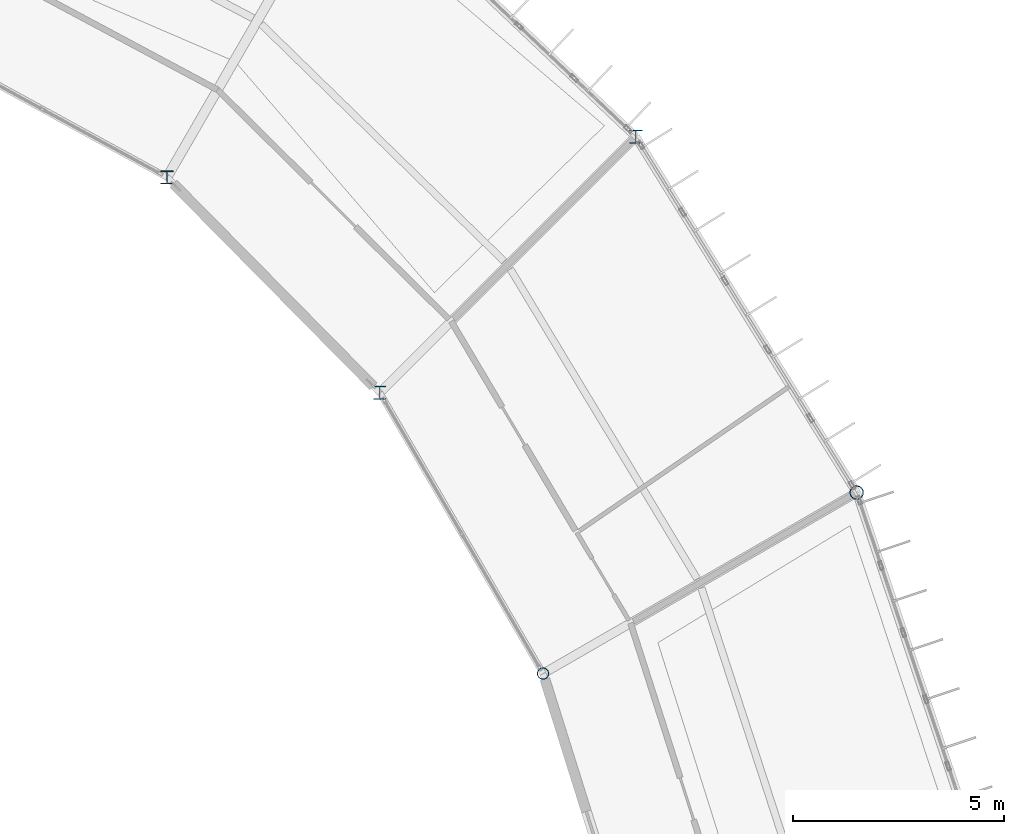
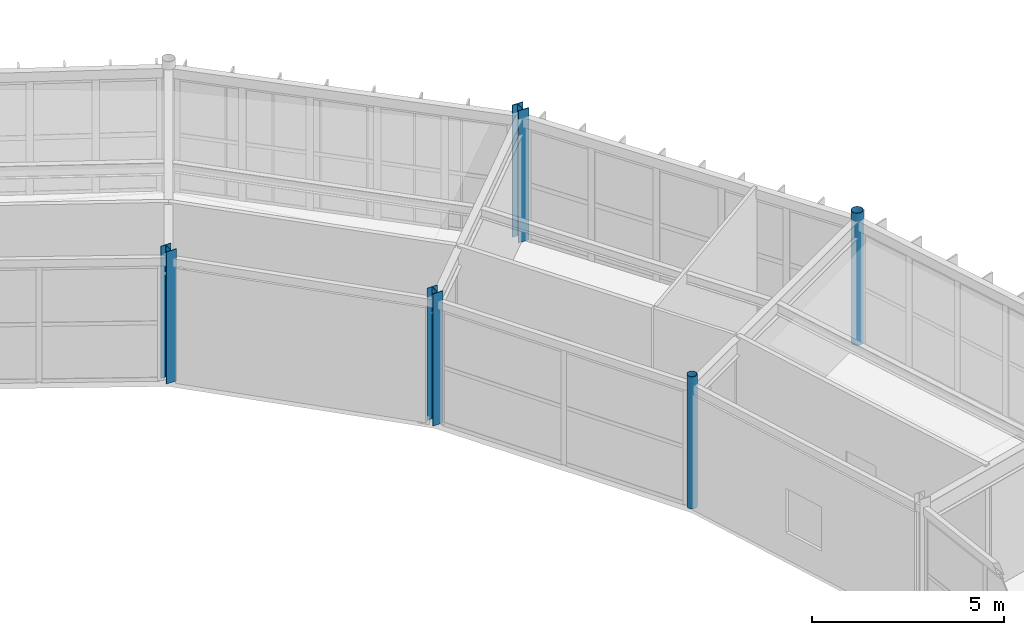
# One storey, part 15 of 147: 5 columns.
"""IFC4 building model written with IfcOpenShell, lengths in metres."""

from ifc_helpers import new_model, si_unit, direction, frame, origin, origin_2d, place, context, subcontext, project, spatial, hollow_circle, i_section, extrude, material, material_profile, profile_set, type_object, element, save


model = new_model("IFC4")

# Units and contexts
model_context = context("Model", 3, precision=1e-05, world=origin(), true_north=direction((0.0, 1.0)))
body_context = subcontext(model_context, "Body", "Model", "MODEL_VIEW")
ifc_project = project(units=[si_unit("LENGTHUNIT", "METRE"), si_unit("AREAUNIT", "SQUARE_METRE"), si_unit("VOLUMEUNIT", "CUBIC_METRE"), si_unit("PLANEANGLEUNIT", "RADIAN"), si_unit("MASSUNIT", "GRAM", prefix="KILO")], contexts=[model_context])

# Site, building, storey
site_placement = place(None, origin())
site = spatial("IfcSite", under=ifc_project, at=site_placement, CompositionType="ELEMENT")
building_placement = place(site_placement, origin())
building = spatial("IfcBuilding", under=site, at=building_placement, Name="Karori Crest Natural Sciences Institute", CompositionType="ELEMENT")
storey_placement = place(building_placement, frame((0.0, 0.0, 9.10009765625)))
storey = spatial("IfcBuildingStorey", under=building, at=storey_placement, Name="L02", CompositionType="ELEMENT", Elevation=9.10009765625)

# Columns
ifc_material_1 = material(Name="Structural steel AS/NZS 3679.1 Grade 350", Category="steel")
ifc_material_profile_1 = material_profile(ifc_material_1, i_section(OverallWidth=0.31103515625, OverallDepth=0.326904296875, WebThickness=0.015625, FlangeThickness=0.02490234375, FilletRadius=0.01708984375, at=origin_2d()), Name="310UC158")
ifc_profile_set_1 = profile_set([ifc_material_profile_1], Name="Structural steel AS/NZS 3679.1 Grade 350")
column_type_1 = type_object("IfcColumnType", Name="CT-04", PredefinedType="COLUMN", material=ifc_profile_set_1)
column_1_placement = place(storey_placement, frame((89.734619140625, 78.75, 0.0), z_axis=(0.0, 0.0, 1.0), x_axis=(1.0, 0.0, 0.0)))
element("IfcColumn", 1, at=column_1_placement, inside=storey, type_object=column_type_1, Name="Column C-0061", PredefinedType="COLUMN", context=body_context, shape_type="SweptSolid", body=[
    extrude(i_section(OverallWidth=0.31103515625, OverallDepth=0.326904296875, WebThickness=0.015625, FlangeThickness=0.02490234375, FilletRadius=0.01708984375, at=origin_2d()), origin(), (0.0, 0.0, 1.0), 4.199951171875),
])
ifc_material_profile_2 = material_profile(ifc_material_1, i_section(OverallWidth=0.306884765625, OverallDepth=0.31494140625, WebThickness=0.011962890625, FlangeThickness=0.018798828125, FilletRadius=0.01708984375, at=origin_2d()), Name="310UC118")
ifc_profile_set_2 = profile_set([ifc_material_profile_2], Name="Structural steel AS/NZS 3679.1 Grade 350")
column_type_2 = type_object("IfcColumnType", Name="CT-05", PredefinedType="COLUMN", material=ifc_profile_set_2)
column_2_placement = place(storey_placement, frame((83.6533203125, 72.668701171875, 0.0), z_axis=(0.0, 0.0, 1.0), x_axis=(1.0, 0.0, 0.0)))
element("IfcColumn", 2, at=column_2_placement, inside=storey, type_object=column_type_2, Name="Column C-0062", PredefinedType="COLUMN", context=body_context, shape_type="SweptSolid", body=[
    extrude(i_section(OverallWidth=0.306884765625, OverallDepth=0.31494140625, WebThickness=0.011962890625, FlangeThickness=0.018798828125, FilletRadius=0.01708984375, at=origin_2d()), origin(), (0.0, 0.0, 1.0), 4.199951171875),
])
ifc_material_2 = material(Name="Hollow structural steel AS/NZS 1163 Grade C350", Category="steel")
ifc_material_profile_3 = material_profile(ifc_material_2, hollow_circle(Radius=0.161865234375, WallThickness=0.0126953125, at=origin_2d()), Name="CHS323.9x12.7")
ifc_profile_set_3 = profile_set([ifc_material_profile_3], Name="Hollow structural steel AS/NZS 1163 Grade C350")
column_type_3 = type_object("IfcColumnType", Name="CT-15", PredefinedType="COLUMN", material=ifc_profile_set_3)
column_3_placement = place(storey_placement, frame((94.978759765625, 70.300048828125, 0.0), z_axis=(0.0, 0.0, 1.0), x_axis=(1.0, 0.0, 0.0)))
element("IfcColumn", 3, at=column_3_placement, inside=storey, type_object=column_type_3, Name="Column C-0043", PredefinedType="COLUMN", context=body_context, shape_type="SweptSolid", body=[
    extrude(hollow_circle(Radius=0.161865234375, WallThickness=0.0126953125, at=origin_2d()), origin(), (0.0, 0.0, 1.0), 4.199951171875),
])
ifc_material_profile_4 = material_profile(ifc_material_2, hollow_circle(Radius=0.136474609375, WallThickness=0.00927734375, at=origin_2d()), Name="CHS273.0x9.3")
ifc_profile_set_4 = profile_set([ifc_material_profile_4], Name="Hollow structural steel AS/NZS 1163 Grade C350")
column_type_4 = type_object("IfcColumnType", Name="CT-16", PredefinedType="COLUMN", material=ifc_profile_set_4)
column_4_placement = place(storey_placement, frame((87.531005859375, 66.0, 0.0), z_axis=(0.0, 0.0, 1.0), x_axis=(1.0, 0.0, 0.0)))
element("IfcColumn", 4, at=column_4_placement, inside=storey, type_object=column_type_4, Name="Column C-0044", PredefinedType="COLUMN", context=body_context, shape_type="SweptSolid", body=[
    extrude(hollow_circle(Radius=0.136474609375, WallThickness=0.00927734375, at=origin_2d()), origin(), (0.0, 0.0, 1.0), 4.199951171875),
])
ifc_material_profile_5 = material_profile(ifc_material_1, i_section(OverallWidth=0.304931640625, OverallDepth=0.30810546875, WebThickness=0.010009765625, FlangeThickness=0.015380859375, FilletRadius=0.01708984375, at=origin_2d()), Name="310UC96.8")
ifc_profile_set_5 = profile_set([ifc_material_profile_5], Name="Structural steel AS/NZS 3679.1 Grade 350")
column_type_5 = type_object("IfcColumnType", Name="CT-25", PredefinedType="COLUMN", material=ifc_profile_set_5)
column_5_placement = place(storey_placement, frame((78.60009765625, 77.785888671875, 0.0), z_axis=(0.0, 0.0, 1.0), x_axis=(1.0, 0.0, 0.0)))
element("IfcColumn", 5, at=column_5_placement, inside=storey, type_object=column_type_5, Name="Column C-0080", PredefinedType="COLUMN", context=body_context, shape_type="SweptSolid", body=[
    extrude(i_section(OverallWidth=0.304931640625, OverallDepth=0.30810546875, WebThickness=0.010009765625, FlangeThickness=0.015380859375, FilletRadius=0.01708984375, at=origin_2d()), origin(), (0.0, 0.0, 1.0), 4.199951171875),
])

save(model, "model.ifc")
